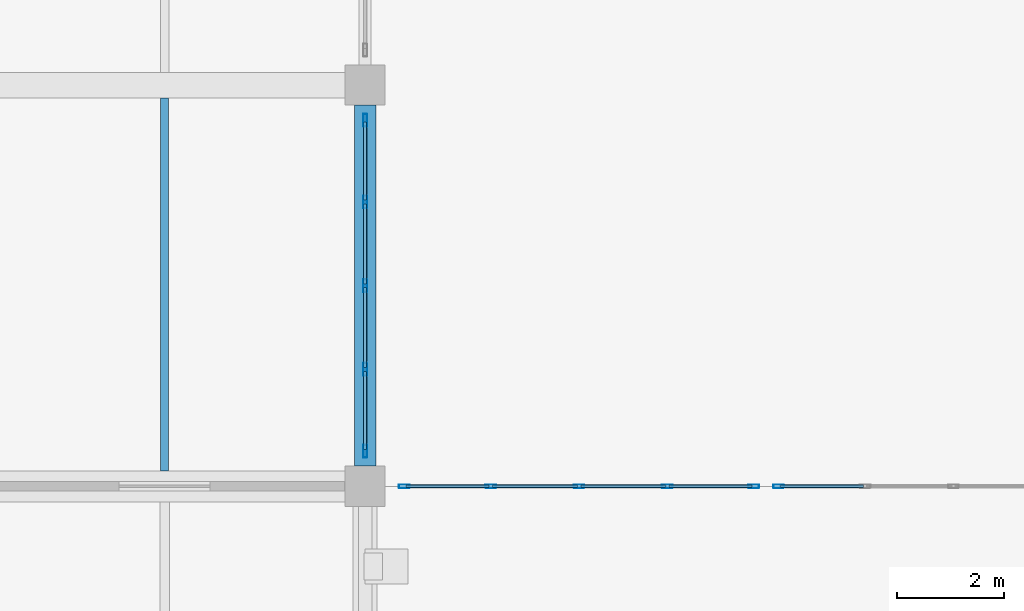
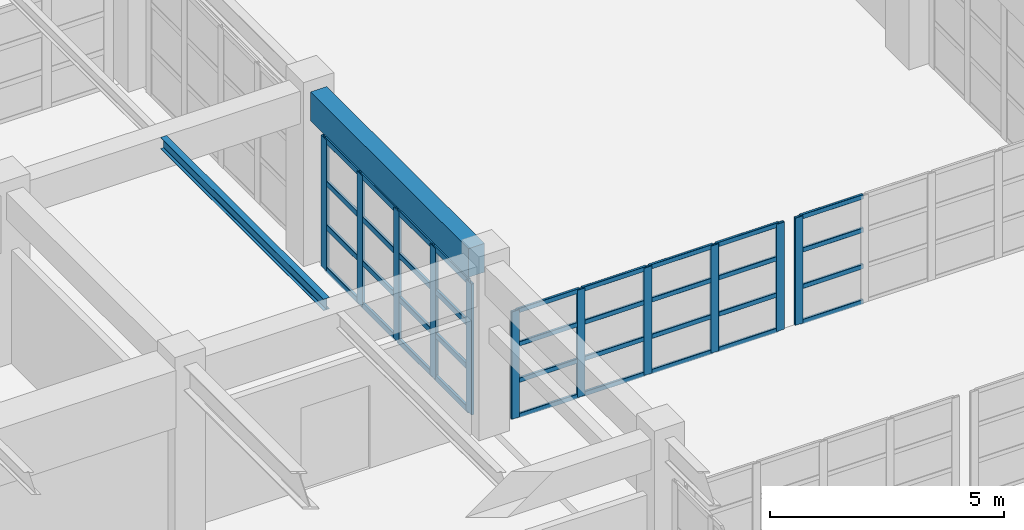
# One storey, part 17 of 122: 47 members, 2 beams, 3 elements without a shape of their own.
"""IFC4 building model written with IfcOpenShell, lengths in metres."""

from ifc_helpers import new_model, si_unit, direction, frame, origin, origin_2d, place, context, subcontext, project, spatial, rectangle, hollow_rectangle, i_section, extrude, material, material_profile, profile_set, type_object, element, aggregate, save


model = new_model("IFC4")

# Units and contexts
model_context = context("Model", 3, precision=1e-05, world=origin(), true_north=direction((0.0, 1.0)))
body_context = subcontext(model_context, "Body", "Model", "MODEL_VIEW")
ifc_project = project(units=[si_unit("LENGTHUNIT", "METRE"), si_unit("AREAUNIT", "SQUARE_METRE"), si_unit("VOLUMEUNIT", "CUBIC_METRE"), si_unit("PLANEANGLEUNIT", "RADIAN"), si_unit("MASSUNIT", "GRAM", prefix="KILO")], contexts=[model_context])

# Site, building, storey
site_placement = place(None, origin())
site = spatial("IfcSite", under=ifc_project, at=site_placement, CompositionType="ELEMENT")
building_placement = place(site_placement, origin())
building = spatial("IfcBuilding", under=site, at=building_placement, Name="Qasida Concert Hall", CompositionType="ELEMENT")
storey_placement = place(building_placement, origin())
storey = spatial("IfcBuildingStorey", under=building, at=storey_placement, Name="L00", CompositionType="ELEMENT", Elevation=0.0)

# Beams
ifc_material_1 = material(Name="Steel S355J2", Category="steel")
ifc_material_profile_1 = material_profile(ifc_material_1, i_section(OverallWidth=0.14990234375, OverallDepth=0.300048828125, WebThickness=0.007080078125, FlangeThickness=0.0107421875, FilletRadius=0.014892578125, at=origin_2d()), Name="IPE 300")
ifc_profile_set_1 = profile_set([ifc_material_profile_1], Name="Steel S355J2")
beam_type_1 = type_object("IfcBeamType", Name="BM-J4", PredefinedType="JOIST", material=ifc_profile_set_1)
beam_1_placement = place(storey_placement, frame((33.75, 37.7900390625, 4.35009765625), z_axis=(0.0, 1.0, 0.0), x_axis=(-1.0, 0.0, 0.0)))
element("IfcBeam", 1, at=beam_1_placement, inside=storey, type_object=beam_type_1, Name="L00 secondary joist 0587", PredefinedType="JOIST", context=body_context, shape_type="SweptSolid", body=[
    extrude(i_section(OverallWidth=0.14990234375, OverallDepth=0.300048828125, WebThickness=0.007080078125, FlangeThickness=0.0107421875, FilletRadius=0.014892578125, at=origin_2d()), origin(), (0.0, 0.0, 1.0), 6.969970703125),
])
ifc_material_2 = material(Name="Concrete C40/50", Category="concrete")
ifc_material_profile_2 = material_profile(ifc_material_2, rectangle(XDim=0.39990234375, YDim=0.75, at=origin_2d()), Name="RC 400x750")
ifc_profile_set_2 = profile_set([ifc_material_profile_2], Name="Concrete C40/50")
beam_type_2 = type_object("IfcBeamType", Name="BM-SP1", PredefinedType="SPANDREL", material=ifc_profile_set_2)
beam_2_placement = place(storey_placement, frame((37.5, 37.875, 4.125), z_axis=(0.0, 1.0, 0.0), x_axis=(-1.0, 0.0, 0.0)))
element("IfcBeam", 2, at=beam_2_placement, inside=storey, type_object=beam_type_2, Name="L00 girder 0558", PredefinedType="SPANDREL", context=body_context, shape_type="SweptSolid", body=[
    extrude(rectangle(XDim=0.39990234375, YDim=0.75, at=origin_2d()), origin(), (0.0, 0.0, 1.0), 6.75),
])

# Curtain wall, members
ifc_material_3 = material(Name="Architectural bronze-anodized aluminium and low-E glass", Category="aluminium")
curtain_wall_type_1 = type_object("IfcCurtainWallType", Name="CW-06", PredefinedType="NOTDEFINED", material=ifc_material_3)
curtain_wall_1_placement = place(storey_placement, origin())
curtain_wall_1 = element("IfcCurtainWall", 3, at=curtain_wall_1_placement, inside=storey, type_object=curtain_wall_type_1, Name="L00 curtain wall CW-06 0079", PredefinedType="NOTDEFINED")
ifc_material_4 = material(Name="Architectural bronze-anodized aluminium EN AW-6063", Category="aluminium")
ifc_material_profile_3 = material_profile(ifc_material_4, hollow_rectangle(XDim=0.070068359375, YDim=0.239990234375, WallThickness=0.0048828125, InnerFilletRadius=0.0048828125, OuterFilletRadius=0.010009765625, at=origin_2d()), Name="CWM 240x70x5")
ifc_profile_set_3 = profile_set([ifc_material_profile_3], Name="Architectural bronze-anodized aluminium EN AW-6063")
member_type_1 = type_object("IfcMemberType", Name="MB-CWM-1", PredefinedType="MULLION", material=ifc_profile_set_3)
member_1_placement = place(storey_placement, frame((37.5, 38.155029296875, 0.0), z_axis=(0.0, 0.0, 1.0), x_axis=(-1.0, 0.0, 0.0)))
member_1 = element("IfcMember", 4, at=member_1_placement, type_object=member_type_1, Name="CW-06 mullion 1", PredefinedType="MULLION", context=body_context, shape_type="SweptSolid", body=[
    extrude(hollow_rectangle(XDim=0.070068359375, YDim=0.239990234375, WallThickness=0.0048828125, InnerFilletRadius=0.0048828125, OuterFilletRadius=0.010009765625, at=origin_2d()), origin(), (0.0, 0.0, 1.0), 3.419921875),
])
member_2_placement = place(storey_placement, frame((37.5, 39.68505859375, 0.0), z_axis=(0.0, 0.0, 1.0), x_axis=(-1.0, 0.0, 0.0)))
member_2 = element("IfcMember", 5, at=member_2_placement, type_object=member_type_1, Name="CW-06 mullion 2", PredefinedType="MULLION", context=body_context, shape_type="SweptSolid", body=[
    extrude(hollow_rectangle(XDim=0.070068359375, YDim=0.239990234375, WallThickness=0.0048828125, InnerFilletRadius=0.0048828125, OuterFilletRadius=0.010009765625, at=origin_2d()), origin(), (0.0, 0.0, 1.0), 3.419921875),
])
member_3_placement = place(storey_placement, frame((37.5, 41.25, 0.0), z_axis=(0.0, 0.0, 1.0), x_axis=(-1.0, 0.0, 0.0)))
member_3 = element("IfcMember", 6, at=member_3_placement, type_object=member_type_1, Name="CW-06 mullion 3", PredefinedType="MULLION", context=body_context, shape_type="SweptSolid", body=[
    extrude(hollow_rectangle(XDim=0.070068359375, YDim=0.239990234375, WallThickness=0.0048828125, InnerFilletRadius=0.0048828125, OuterFilletRadius=0.010009765625, at=origin_2d()), origin(), (0.0, 0.0, 1.0), 3.419921875),
])
member_4_placement = place(storey_placement, frame((37.5, 42.81494140625, 0.0), z_axis=(0.0, 0.0, 1.0), x_axis=(-1.0, 0.0, 0.0)))
member_4 = element("IfcMember", 7, at=member_4_placement, type_object=member_type_1, Name="CW-06 mullion 4", PredefinedType="MULLION", context=body_context, shape_type="SweptSolid", body=[
    extrude(hollow_rectangle(XDim=0.070068359375, YDim=0.239990234375, WallThickness=0.0048828125, InnerFilletRadius=0.0048828125, OuterFilletRadius=0.010009765625, at=origin_2d()), origin(), (0.0, 0.0, 1.0), 3.419921875),
])
member_5_placement = place(storey_placement, frame((37.5, 44.344970703125, 0.0), z_axis=(0.0, 0.0, 1.0), x_axis=(-1.0, 0.0, 0.0)))
member_5 = element("IfcMember", 8, at=member_5_placement, type_object=member_type_1, Name="CW-06 mullion 5", PredefinedType="MULLION", context=body_context, shape_type="SweptSolid", body=[
    extrude(hollow_rectangle(XDim=0.070068359375, YDim=0.239990234375, WallThickness=0.0048828125, InnerFilletRadius=0.0048828125, OuterFilletRadius=0.010009765625, at=origin_2d()), origin(), (0.0, 0.0, 1.0), 3.419921875),
])

curtain_wall_type_2 = type_object("IfcCurtainWallType", Name="CW-08", PredefinedType="NOTDEFINED", material=ifc_material_3)
curtain_wall_2_placement = place(storey_placement, origin())
curtain_wall_2 = element("IfcCurtainWall", 9, at=curtain_wall_2_placement, inside=storey, type_object=curtain_wall_type_2, Name="L00 link bridge glazing 0195", PredefinedType="NOTDEFINED")
ifc_material_profile_4 = material_profile(ifc_material_4, hollow_rectangle(XDim=0.06494140625, YDim=0.199951171875, WallThickness=0.0048828125, InnerFilletRadius=0.0048828125, OuterFilletRadius=0.010009765625, at=origin_2d()), Name="CWM 200x65x5")
ifc_profile_set_4 = profile_set([ifc_material_profile_4], Name="Architectural bronze-anodized aluminium EN AW-6063")
member_type_2 = type_object("IfcMemberType", Name="MB-CWM-2", PredefinedType="MULLION", material=ifc_profile_set_4)
member_6_placement = place(storey_placement, frame((38.232421875, 37.5, 0.0), z_axis=(0.0, 0.0, 1.0), x_axis=(0.0, 1.0, 0.0)))
member_6 = element("IfcMember", 10, at=member_6_placement, type_object=member_type_2, Name="CW-08 mullion 1", PredefinedType="MULLION", context=body_context, shape_type="SweptSolid", body=[
    extrude(hollow_rectangle(XDim=0.06494140625, YDim=0.199951171875, WallThickness=0.0048828125, InnerFilletRadius=0.0048828125, OuterFilletRadius=0.010009765625, at=origin_2d()), origin(), (0.0, 0.0, 1.0), 2.800048828125),
])
member_7_placement = place(storey_placement, frame((39.85009765625, 37.5, 0.0), z_axis=(0.0, 0.0, 1.0), x_axis=(0.0, 1.0, 0.0)))
member_7 = element("IfcMember", 11, at=member_7_placement, type_object=member_type_2, Name="CW-08 mullion 2", PredefinedType="MULLION", context=body_context, shape_type="SweptSolid", body=[
    extrude(hollow_rectangle(XDim=0.06494140625, YDim=0.199951171875, WallThickness=0.0048828125, InnerFilletRadius=0.0048828125, OuterFilletRadius=0.010009765625, at=origin_2d()), origin(), (0.0, 0.0, 1.0), 2.800048828125),
])
member_8_placement = place(storey_placement, frame((41.5, 37.5, 0.0), z_axis=(0.0, 0.0, 1.0), x_axis=(0.0, 1.0, 0.0)))
member_8 = element("IfcMember", 12, at=member_8_placement, type_object=member_type_2, Name="CW-08 mullion 3", PredefinedType="MULLION", context=body_context, shape_type="SweptSolid", body=[
    extrude(hollow_rectangle(XDim=0.06494140625, YDim=0.199951171875, WallThickness=0.0048828125, InnerFilletRadius=0.0048828125, OuterFilletRadius=0.010009765625, at=origin_2d()), origin(), (0.0, 0.0, 1.0), 2.800048828125),
])
member_9_placement = place(storey_placement, frame((43.14990234375, 37.5, 0.0), z_axis=(0.0, 0.0, 1.0), x_axis=(0.0, 1.0, 0.0)))
member_9 = element("IfcMember", 13, at=member_9_placement, type_object=member_type_2, Name="CW-08 mullion 4", PredefinedType="MULLION", context=body_context, shape_type="SweptSolid", body=[
    extrude(hollow_rectangle(XDim=0.06494140625, YDim=0.199951171875, WallThickness=0.0048828125, InnerFilletRadius=0.0048828125, OuterFilletRadius=0.010009765625, at=origin_2d()), origin(), (0.0, 0.0, 1.0), 2.800048828125),
])
member_10_placement = place(storey_placement, frame((44.767578125, 37.5, 0.0), z_axis=(0.0, 0.0, 1.0), x_axis=(0.0, 1.0, 0.0)))
member_10 = element("IfcMember", 14, at=member_10_placement, type_object=member_type_2, Name="CW-08 mullion 5", PredefinedType="MULLION", context=body_context, shape_type="SweptSolid", body=[
    extrude(hollow_rectangle(XDim=0.06494140625, YDim=0.199951171875, WallThickness=0.0048828125, InnerFilletRadius=0.0048828125, OuterFilletRadius=0.010009765625, at=origin_2d()), origin(), (0.0, 0.0, 1.0), 2.800048828125),
])

# Curtain wall, member
curtain_wall_3_placement = place(storey_placement, origin())
curtain_wall_3 = element("IfcCurtainWall", 15, at=curtain_wall_3_placement, inside=storey, type_object=curtain_wall_type_2, Name="L00 link bridge glazing 0197", PredefinedType="NOTDEFINED")
member_11_placement = place(storey_placement, frame((45.232421875, 37.5, 0.0), z_axis=(0.0, 0.0, 1.0), x_axis=(0.0, 1.0, 0.0)))
member_11 = element("IfcMember", 16, at=member_11_placement, type_object=member_type_2, Name="CW-08 mullion 1", PredefinedType="MULLION", context=body_context, shape_type="SweptSolid", body=[
    extrude(hollow_rectangle(XDim=0.06494140625, YDim=0.199951171875, WallThickness=0.0048828125, InnerFilletRadius=0.0048828125, OuterFilletRadius=0.010009765625, at=origin_2d()), origin(), (0.0, 0.0, 1.0), 2.800048828125),
])

# Member
ifc_material_profile_5 = material_profile(ifc_material_4, hollow_rectangle(XDim=0.06494140625, YDim=0.14990234375, WallThickness=0.00390625, InnerFilletRadius=0.00390625, OuterFilletRadius=0.008056640625, at=origin_2d()), Name="CWT 150x65x4")
ifc_profile_set_5 = profile_set([ifc_material_profile_5], Name="Architectural bronze-anodized aluminium EN AW-6063")
member_type_3 = type_object("IfcMemberType", Name="MB-CWT-1", PredefinedType="USERDEFINED", material=ifc_profile_set_5)
member_12_placement = place(storey_placement, frame((37.5, 38.18994140625, 0.032470703125), z_axis=(0.0, 1.0, 0.0), x_axis=(-1.0, 0.0, 0.0)))
member_12 = element("IfcMember", 17, at=member_12_placement, type_object=member_type_3, Name="CW-06 transom 1.1", ObjectType="TRANSOM", PredefinedType="USERDEFINED", context=body_context, shape_type="SweptSolid", body=[
    extrude(hollow_rectangle(XDim=0.06494140625, YDim=0.14990234375, WallThickness=0.00390625, InnerFilletRadius=0.00390625, OuterFilletRadius=0.008056640625, at=origin_2d()), origin(), (0.0, 0.0, 1.0), 1.4599609375),
])

member_13_placement = place(storey_placement, frame((37.5, 38.18994140625, 1.139892578125), z_axis=(0.0, 1.0, 0.0), x_axis=(-1.0, 0.0, 0.0)))
member_13 = element("IfcMember", 18, at=member_13_placement, type_object=member_type_3, Name="CW-06 transom 1.2", ObjectType="TRANSOM", PredefinedType="USERDEFINED", context=body_context, shape_type="SweptSolid", body=[
    extrude(hollow_rectangle(XDim=0.06494140625, YDim=0.14990234375, WallThickness=0.00390625, InnerFilletRadius=0.00390625, OuterFilletRadius=0.008056640625, at=origin_2d()), origin(), (0.0, 0.0, 1.0), 1.4599609375),
])

member_14_placement = place(storey_placement, frame((37.5, 38.18994140625, 2.280029296875), z_axis=(0.0, 1.0, 0.0), x_axis=(-1.0, 0.0, 0.0)))
member_14 = element("IfcMember", 19, at=member_14_placement, type_object=member_type_3, Name="CW-06 transom 1.3", ObjectType="TRANSOM", PredefinedType="USERDEFINED", context=body_context, shape_type="SweptSolid", body=[
    extrude(hollow_rectangle(XDim=0.06494140625, YDim=0.14990234375, WallThickness=0.00390625, InnerFilletRadius=0.00390625, OuterFilletRadius=0.008056640625, at=origin_2d()), origin(), (0.0, 0.0, 1.0), 1.4599609375),
])

member_15_placement = place(storey_placement, frame((37.5, 38.18994140625, 3.387451171875), z_axis=(0.0, 1.0, 0.0), x_axis=(-1.0, 0.0, 0.0)))
member_15 = element("IfcMember", 20, at=member_15_placement, type_object=member_type_3, Name="CW-06 transom 1.4", ObjectType="TRANSOM", PredefinedType="USERDEFINED", context=body_context, shape_type="SweptSolid", body=[
    extrude(hollow_rectangle(XDim=0.06494140625, YDim=0.14990234375, WallThickness=0.00390625, InnerFilletRadius=0.00390625, OuterFilletRadius=0.008056640625, at=origin_2d()), origin(), (0.0, 0.0, 1.0), 1.4599609375),
])

member_16_placement = place(storey_placement, frame((37.5, 39.719970703125, 0.032470703125), z_axis=(0.0, 1.0, 0.0), x_axis=(-1.0, 0.0, 0.0)))
member_16 = element("IfcMember", 21, at=member_16_placement, type_object=member_type_3, Name="CW-06 transom 2.1", ObjectType="TRANSOM", PredefinedType="USERDEFINED", context=body_context, shape_type="SweptSolid", body=[
    extrude(hollow_rectangle(XDim=0.06494140625, YDim=0.14990234375, WallThickness=0.00390625, InnerFilletRadius=0.00390625, OuterFilletRadius=0.008056640625, at=origin_2d()), origin(), (0.0, 0.0, 1.0), 1.4951171875),
])

member_17_placement = place(storey_placement, frame((37.5, 39.719970703125, 1.139892578125), z_axis=(0.0, 1.0, 0.0), x_axis=(-1.0, 0.0, 0.0)))
member_17 = element("IfcMember", 22, at=member_17_placement, type_object=member_type_3, Name="CW-06 transom 2.2", ObjectType="TRANSOM", PredefinedType="USERDEFINED", context=body_context, shape_type="SweptSolid", body=[
    extrude(hollow_rectangle(XDim=0.06494140625, YDim=0.14990234375, WallThickness=0.00390625, InnerFilletRadius=0.00390625, OuterFilletRadius=0.008056640625, at=origin_2d()), origin(), (0.0, 0.0, 1.0), 1.4951171875),
])

member_18_placement = place(storey_placement, frame((37.5, 39.719970703125, 2.280029296875), z_axis=(0.0, 1.0, 0.0), x_axis=(-1.0, 0.0, 0.0)))
member_18 = element("IfcMember", 23, at=member_18_placement, type_object=member_type_3, Name="CW-06 transom 2.3", ObjectType="TRANSOM", PredefinedType="USERDEFINED", context=body_context, shape_type="SweptSolid", body=[
    extrude(hollow_rectangle(XDim=0.06494140625, YDim=0.14990234375, WallThickness=0.00390625, InnerFilletRadius=0.00390625, OuterFilletRadius=0.008056640625, at=origin_2d()), origin(), (0.0, 0.0, 1.0), 1.4951171875),
])

member_19_placement = place(storey_placement, frame((37.5, 39.719970703125, 3.387451171875), z_axis=(0.0, 1.0, 0.0), x_axis=(-1.0, 0.0, 0.0)))
member_19 = element("IfcMember", 24, at=member_19_placement, type_object=member_type_3, Name="CW-06 transom 2.4", ObjectType="TRANSOM", PredefinedType="USERDEFINED", context=body_context, shape_type="SweptSolid", body=[
    extrude(hollow_rectangle(XDim=0.06494140625, YDim=0.14990234375, WallThickness=0.00390625, InnerFilletRadius=0.00390625, OuterFilletRadius=0.008056640625, at=origin_2d()), origin(), (0.0, 0.0, 1.0), 1.4951171875),
])

member_20_placement = place(storey_placement, frame((37.5, 41.284912109375, 0.032470703125), z_axis=(0.0, 1.0, 0.0), x_axis=(-1.0, 0.0, 0.0)))
member_20 = element("IfcMember", 25, at=member_20_placement, type_object=member_type_3, Name="CW-06 transom 3.1", ObjectType="TRANSOM", PredefinedType="USERDEFINED", context=body_context, shape_type="SweptSolid", body=[
    extrude(hollow_rectangle(XDim=0.06494140625, YDim=0.14990234375, WallThickness=0.00390625, InnerFilletRadius=0.00390625, OuterFilletRadius=0.008056640625, at=origin_2d()), origin(), (0.0, 0.0, 1.0), 1.4951171875),
])

member_21_placement = place(storey_placement, frame((37.5, 41.284912109375, 1.139892578125), z_axis=(0.0, 1.0, 0.0), x_axis=(-1.0, 0.0, 0.0)))
member_21 = element("IfcMember", 26, at=member_21_placement, type_object=member_type_3, Name="CW-06 transom 3.2", ObjectType="TRANSOM", PredefinedType="USERDEFINED", context=body_context, shape_type="SweptSolid", body=[
    extrude(hollow_rectangle(XDim=0.06494140625, YDim=0.14990234375, WallThickness=0.00390625, InnerFilletRadius=0.00390625, OuterFilletRadius=0.008056640625, at=origin_2d()), origin(), (0.0, 0.0, 1.0), 1.4951171875),
])

member_22_placement = place(storey_placement, frame((37.5, 41.284912109375, 2.280029296875), z_axis=(0.0, 1.0, 0.0), x_axis=(-1.0, 0.0, 0.0)))
member_22 = element("IfcMember", 27, at=member_22_placement, type_object=member_type_3, Name="CW-06 transom 3.3", ObjectType="TRANSOM", PredefinedType="USERDEFINED", context=body_context, shape_type="SweptSolid", body=[
    extrude(hollow_rectangle(XDim=0.06494140625, YDim=0.14990234375, WallThickness=0.00390625, InnerFilletRadius=0.00390625, OuterFilletRadius=0.008056640625, at=origin_2d()), origin(), (0.0, 0.0, 1.0), 1.4951171875),
])

member_23_placement = place(storey_placement, frame((37.5, 41.284912109375, 3.387451171875), z_axis=(0.0, 1.0, 0.0), x_axis=(-1.0, 0.0, 0.0)))
member_23 = element("IfcMember", 28, at=member_23_placement, type_object=member_type_3, Name="CW-06 transom 3.4", ObjectType="TRANSOM", PredefinedType="USERDEFINED", context=body_context, shape_type="SweptSolid", body=[
    extrude(hollow_rectangle(XDim=0.06494140625, YDim=0.14990234375, WallThickness=0.00390625, InnerFilletRadius=0.00390625, OuterFilletRadius=0.008056640625, at=origin_2d()), origin(), (0.0, 0.0, 1.0), 1.4951171875),
])

member_24_placement = place(storey_placement, frame((37.5, 42.85009765625, 0.032470703125), z_axis=(0.0, 1.0, 0.0), x_axis=(-1.0, 0.0, 0.0)))
member_24 = element("IfcMember", 29, at=member_24_placement, type_object=member_type_3, Name="CW-06 transom 4.1", ObjectType="TRANSOM", PredefinedType="USERDEFINED", context=body_context, shape_type="SweptSolid", body=[
    extrude(hollow_rectangle(XDim=0.06494140625, YDim=0.14990234375, WallThickness=0.00390625, InnerFilletRadius=0.00390625, OuterFilletRadius=0.008056640625, at=origin_2d()), origin(), (0.0, 0.0, 1.0), 1.4599609375),
])

member_25_placement = place(storey_placement, frame((37.5, 42.85009765625, 1.139892578125), z_axis=(0.0, 1.0, 0.0), x_axis=(-1.0, 0.0, 0.0)))
member_25 = element("IfcMember", 30, at=member_25_placement, type_object=member_type_3, Name="CW-06 transom 4.2", ObjectType="TRANSOM", PredefinedType="USERDEFINED", context=body_context, shape_type="SweptSolid", body=[
    extrude(hollow_rectangle(XDim=0.06494140625, YDim=0.14990234375, WallThickness=0.00390625, InnerFilletRadius=0.00390625, OuterFilletRadius=0.008056640625, at=origin_2d()), origin(), (0.0, 0.0, 1.0), 1.4599609375),
])

member_26_placement = place(storey_placement, frame((37.5, 42.85009765625, 2.280029296875), z_axis=(0.0, 1.0, 0.0), x_axis=(-1.0, 0.0, 0.0)))
member_26 = element("IfcMember", 31, at=member_26_placement, type_object=member_type_3, Name="CW-06 transom 4.3", ObjectType="TRANSOM", PredefinedType="USERDEFINED", context=body_context, shape_type="SweptSolid", body=[
    extrude(hollow_rectangle(XDim=0.06494140625, YDim=0.14990234375, WallThickness=0.00390625, InnerFilletRadius=0.00390625, OuterFilletRadius=0.008056640625, at=origin_2d()), origin(), (0.0, 0.0, 1.0), 1.4599609375),
])

member_27_placement = place(storey_placement, frame((37.5, 42.85009765625, 3.387451171875), z_axis=(0.0, 1.0, 0.0), x_axis=(-1.0, 0.0, 0.0)))
member_27 = element("IfcMember", 32, at=member_27_placement, type_object=member_type_3, Name="CW-06 transom 4.4", ObjectType="TRANSOM", PredefinedType="USERDEFINED", context=body_context, shape_type="SweptSolid", body=[
    extrude(hollow_rectangle(XDim=0.06494140625, YDim=0.14990234375, WallThickness=0.00390625, InnerFilletRadius=0.00390625, OuterFilletRadius=0.008056640625, at=origin_2d()), origin(), (0.0, 0.0, 1.0), 1.4599609375),
])

aggregate(curtain_wall_1, [member_1, member_2, member_3, member_4, member_5, member_12, member_13, member_14, member_15, member_16, member_17, member_18, member_19, member_20, member_21, member_22, member_23, member_24, member_25, member_26, member_27])

ifc_material_profile_6 = material_profile(ifc_material_4, hollow_rectangle(XDim=0.06005859375, YDim=0.1201171875, WallThickness=0.00390625, InnerFilletRadius=0.00390625, OuterFilletRadius=0.008056640625, at=origin_2d()), Name="CWT 120x60x4")
ifc_profile_set_6 = profile_set([ifc_material_profile_6], Name="Architectural bronze-anodized aluminium EN AW-6063")
member_type_4 = type_object("IfcMemberType", Name="MB-CWT-2", PredefinedType="USERDEFINED", material=ifc_profile_set_6)
member_28_placement = place(storey_placement, frame((38.264892578125, 37.5, 0.030029296875), z_axis=(1.0, 0.0, 0.0), x_axis=(0.0, 1.0, 0.0)))
member_28 = element("IfcMember", 33, at=member_28_placement, type_object=member_type_4, Name="CW-08 transom 1.1", ObjectType="TRANSOM", PredefinedType="USERDEFINED", context=body_context, shape_type="SweptSolid", body=[
    extrude(hollow_rectangle(XDim=0.06005859375, YDim=0.1201171875, WallThickness=0.00390625, InnerFilletRadius=0.00390625, OuterFilletRadius=0.008056640625, at=origin_2d()), origin(), (0.0, 0.0, 1.0), 1.552490234375),
])

member_29_placement = place(storey_placement, frame((38.264892578125, 37.5, 0.949951171875), z_axis=(1.0, 0.0, 0.0), x_axis=(0.0, 1.0, 0.0)))
member_29 = element("IfcMember", 34, at=member_29_placement, type_object=member_type_4, Name="CW-08 transom 1.2", ObjectType="TRANSOM", PredefinedType="USERDEFINED", context=body_context, shape_type="SweptSolid", body=[
    extrude(hollow_rectangle(XDim=0.06005859375, YDim=0.1201171875, WallThickness=0.00390625, InnerFilletRadius=0.00390625, OuterFilletRadius=0.008056640625, at=origin_2d()), origin(), (0.0, 0.0, 1.0), 1.552490234375),
])

member_30_placement = place(storey_placement, frame((38.264892578125, 37.5, 1.89990234375), z_axis=(1.0, 0.0, 0.0), x_axis=(0.0, 1.0, 0.0)))
member_30 = element("IfcMember", 35, at=member_30_placement, type_object=member_type_4, Name="CW-08 transom 1.3", ObjectType="TRANSOM", PredefinedType="USERDEFINED", context=body_context, shape_type="SweptSolid", body=[
    extrude(hollow_rectangle(XDim=0.06005859375, YDim=0.1201171875, WallThickness=0.00390625, InnerFilletRadius=0.00390625, OuterFilletRadius=0.008056640625, at=origin_2d()), origin(), (0.0, 0.0, 1.0), 1.552490234375),
])

member_31_placement = place(storey_placement, frame((38.264892578125, 37.5, 2.77001953125), z_axis=(1.0, 0.0, 0.0), x_axis=(0.0, 1.0, 0.0)))
member_31 = element("IfcMember", 36, at=member_31_placement, type_object=member_type_4, Name="CW-08 transom 1.4", ObjectType="TRANSOM", PredefinedType="USERDEFINED", context=body_context, shape_type="SweptSolid", body=[
    extrude(hollow_rectangle(XDim=0.06005859375, YDim=0.1201171875, WallThickness=0.00390625, InnerFilletRadius=0.00390625, OuterFilletRadius=0.008056640625, at=origin_2d()), origin(), (0.0, 0.0, 1.0), 1.552490234375),
])

member_32_placement = place(storey_placement, frame((39.882568359375, 37.5, 0.030029296875), z_axis=(1.0, 0.0, 0.0), x_axis=(0.0, 1.0, 0.0)))
member_32 = element("IfcMember", 37, at=member_32_placement, type_object=member_type_4, Name="CW-08 transom 2.1", ObjectType="TRANSOM", PredefinedType="USERDEFINED", context=body_context, shape_type="SweptSolid", body=[
    extrude(hollow_rectangle(XDim=0.06005859375, YDim=0.1201171875, WallThickness=0.00390625, InnerFilletRadius=0.00390625, OuterFilletRadius=0.008056640625, at=origin_2d()), origin(), (0.0, 0.0, 1.0), 1.5849609375),
])

member_33_placement = place(storey_placement, frame((39.882568359375, 37.5, 0.949951171875), z_axis=(1.0, 0.0, 0.0), x_axis=(0.0, 1.0, 0.0)))
member_33 = element("IfcMember", 38, at=member_33_placement, type_object=member_type_4, Name="CW-08 transom 2.2", ObjectType="TRANSOM", PredefinedType="USERDEFINED", context=body_context, shape_type="SweptSolid", body=[
    extrude(hollow_rectangle(XDim=0.06005859375, YDim=0.1201171875, WallThickness=0.00390625, InnerFilletRadius=0.00390625, OuterFilletRadius=0.008056640625, at=origin_2d()), origin(), (0.0, 0.0, 1.0), 1.5849609375),
])

member_34_placement = place(storey_placement, frame((39.882568359375, 37.5, 1.89990234375), z_axis=(1.0, 0.0, 0.0), x_axis=(0.0, 1.0, 0.0)))
member_34 = element("IfcMember", 39, at=member_34_placement, type_object=member_type_4, Name="CW-08 transom 2.3", ObjectType="TRANSOM", PredefinedType="USERDEFINED", context=body_context, shape_type="SweptSolid", body=[
    extrude(hollow_rectangle(XDim=0.06005859375, YDim=0.1201171875, WallThickness=0.00390625, InnerFilletRadius=0.00390625, OuterFilletRadius=0.008056640625, at=origin_2d()), origin(), (0.0, 0.0, 1.0), 1.5849609375),
])

member_35_placement = place(storey_placement, frame((39.882568359375, 37.5, 2.77001953125), z_axis=(1.0, 0.0, 0.0), x_axis=(0.0, 1.0, 0.0)))
member_35 = element("IfcMember", 40, at=member_35_placement, type_object=member_type_4, Name="CW-08 transom 2.4", ObjectType="TRANSOM", PredefinedType="USERDEFINED", context=body_context, shape_type="SweptSolid", body=[
    extrude(hollow_rectangle(XDim=0.06005859375, YDim=0.1201171875, WallThickness=0.00390625, InnerFilletRadius=0.00390625, OuterFilletRadius=0.008056640625, at=origin_2d()), origin(), (0.0, 0.0, 1.0), 1.5849609375),
])

member_36_placement = place(storey_placement, frame((41.532470703125, 37.5, 0.030029296875), z_axis=(1.0, 0.0, 0.0), x_axis=(0.0, 1.0, 0.0)))
member_36 = element("IfcMember", 41, at=member_36_placement, type_object=member_type_4, Name="CW-08 transom 3.1", ObjectType="TRANSOM", PredefinedType="USERDEFINED", context=body_context, shape_type="SweptSolid", body=[
    extrude(hollow_rectangle(XDim=0.06005859375, YDim=0.1201171875, WallThickness=0.00390625, InnerFilletRadius=0.00390625, OuterFilletRadius=0.008056640625, at=origin_2d()), origin(), (0.0, 0.0, 1.0), 1.5849609375),
])

member_37_placement = place(storey_placement, frame((41.532470703125, 37.5, 0.949951171875), z_axis=(1.0, 0.0, 0.0), x_axis=(0.0, 1.0, 0.0)))
member_37 = element("IfcMember", 42, at=member_37_placement, type_object=member_type_4, Name="CW-08 transom 3.2", ObjectType="TRANSOM", PredefinedType="USERDEFINED", context=body_context, shape_type="SweptSolid", body=[
    extrude(hollow_rectangle(XDim=0.06005859375, YDim=0.1201171875, WallThickness=0.00390625, InnerFilletRadius=0.00390625, OuterFilletRadius=0.008056640625, at=origin_2d()), origin(), (0.0, 0.0, 1.0), 1.5849609375),
])

member_38_placement = place(storey_placement, frame((41.532470703125, 37.5, 1.89990234375), z_axis=(1.0, 0.0, 0.0), x_axis=(0.0, 1.0, 0.0)))
member_38 = element("IfcMember", 43, at=member_38_placement, type_object=member_type_4, Name="CW-08 transom 3.3", ObjectType="TRANSOM", PredefinedType="USERDEFINED", context=body_context, shape_type="SweptSolid", body=[
    extrude(hollow_rectangle(XDim=0.06005859375, YDim=0.1201171875, WallThickness=0.00390625, InnerFilletRadius=0.00390625, OuterFilletRadius=0.008056640625, at=origin_2d()), origin(), (0.0, 0.0, 1.0), 1.5849609375),
])

member_39_placement = place(storey_placement, frame((41.532470703125, 37.5, 2.77001953125), z_axis=(1.0, 0.0, 0.0), x_axis=(0.0, 1.0, 0.0)))
member_39 = element("IfcMember", 44, at=member_39_placement, type_object=member_type_4, Name="CW-08 transom 3.4", ObjectType="TRANSOM", PredefinedType="USERDEFINED", context=body_context, shape_type="SweptSolid", body=[
    extrude(hollow_rectangle(XDim=0.06005859375, YDim=0.1201171875, WallThickness=0.00390625, InnerFilletRadius=0.00390625, OuterFilletRadius=0.008056640625, at=origin_2d()), origin(), (0.0, 0.0, 1.0), 1.5849609375),
])

member_40_placement = place(storey_placement, frame((43.1826171875, 37.5, 0.030029296875), z_axis=(1.0, 0.0, 0.0), x_axis=(0.0, 1.0, 0.0)))
member_40 = element("IfcMember", 45, at=member_40_placement, type_object=member_type_4, Name="CW-08 transom 4.1", ObjectType="TRANSOM", PredefinedType="USERDEFINED", context=body_context, shape_type="SweptSolid", body=[
    extrude(hollow_rectangle(XDim=0.06005859375, YDim=0.1201171875, WallThickness=0.00390625, InnerFilletRadius=0.00390625, OuterFilletRadius=0.008056640625, at=origin_2d()), origin(), (0.0, 0.0, 1.0), 1.552490234375),
])

member_41_placement = place(storey_placement, frame((43.1826171875, 37.5, 0.949951171875), z_axis=(1.0, 0.0, 0.0), x_axis=(0.0, 1.0, 0.0)))
member_41 = element("IfcMember", 46, at=member_41_placement, type_object=member_type_4, Name="CW-08 transom 4.2", ObjectType="TRANSOM", PredefinedType="USERDEFINED", context=body_context, shape_type="SweptSolid", body=[
    extrude(hollow_rectangle(XDim=0.06005859375, YDim=0.1201171875, WallThickness=0.00390625, InnerFilletRadius=0.00390625, OuterFilletRadius=0.008056640625, at=origin_2d()), origin(), (0.0, 0.0, 1.0), 1.552490234375),
])

member_42_placement = place(storey_placement, frame((43.1826171875, 37.5, 1.89990234375), z_axis=(1.0, 0.0, 0.0), x_axis=(0.0, 1.0, 0.0)))
member_42 = element("IfcMember", 47, at=member_42_placement, type_object=member_type_4, Name="CW-08 transom 4.3", ObjectType="TRANSOM", PredefinedType="USERDEFINED", context=body_context, shape_type="SweptSolid", body=[
    extrude(hollow_rectangle(XDim=0.06005859375, YDim=0.1201171875, WallThickness=0.00390625, InnerFilletRadius=0.00390625, OuterFilletRadius=0.008056640625, at=origin_2d()), origin(), (0.0, 0.0, 1.0), 1.552490234375),
])

member_43_placement = place(storey_placement, frame((43.1826171875, 37.5, 2.77001953125), z_axis=(1.0, 0.0, 0.0), x_axis=(0.0, 1.0, 0.0)))
member_43 = element("IfcMember", 48, at=member_43_placement, type_object=member_type_4, Name="CW-08 transom 4.4", ObjectType="TRANSOM", PredefinedType="USERDEFINED", context=body_context, shape_type="SweptSolid", body=[
    extrude(hollow_rectangle(XDim=0.06005859375, YDim=0.1201171875, WallThickness=0.00390625, InnerFilletRadius=0.00390625, OuterFilletRadius=0.008056640625, at=origin_2d()), origin(), (0.0, 0.0, 1.0), 1.552490234375),
])

aggregate(curtain_wall_2, [member_6, member_7, member_8, member_9, member_10, member_28, member_29, member_30, member_31, member_32, member_33, member_34, member_35, member_36, member_37, member_38, member_39, member_40, member_41, member_42, member_43])

member_44_placement = place(storey_placement, frame((45.264892578125, 37.5, 0.030029296875), z_axis=(1.0, 0.0, 0.0), x_axis=(0.0, 1.0, 0.0)))
member_44 = element("IfcMember", 49, at=member_44_placement, type_object=member_type_4, Name="CW-08 transom 1.1", ObjectType="TRANSOM", PredefinedType="USERDEFINED", context=body_context, shape_type="SweptSolid", body=[
    extrude(hollow_rectangle(XDim=0.06005859375, YDim=0.1201171875, WallThickness=0.00390625, InnerFilletRadius=0.00390625, OuterFilletRadius=0.008056640625, at=origin_2d()), origin(), (0.0, 0.0, 1.0), 1.552490234375),
])

member_45_placement = place(storey_placement, frame((45.264892578125, 37.5, 0.949951171875), z_axis=(1.0, 0.0, 0.0), x_axis=(0.0, 1.0, 0.0)))
member_45 = element("IfcMember", 50, at=member_45_placement, type_object=member_type_4, Name="CW-08 transom 1.2", ObjectType="TRANSOM", PredefinedType="USERDEFINED", context=body_context, shape_type="SweptSolid", body=[
    extrude(hollow_rectangle(XDim=0.06005859375, YDim=0.1201171875, WallThickness=0.00390625, InnerFilletRadius=0.00390625, OuterFilletRadius=0.008056640625, at=origin_2d()), origin(), (0.0, 0.0, 1.0), 1.552490234375),
])

member_46_placement = place(storey_placement, frame((45.264892578125, 37.5, 1.89990234375), z_axis=(1.0, 0.0, 0.0), x_axis=(0.0, 1.0, 0.0)))
member_46 = element("IfcMember", 51, at=member_46_placement, type_object=member_type_4, Name="CW-08 transom 1.3", ObjectType="TRANSOM", PredefinedType="USERDEFINED", context=body_context, shape_type="SweptSolid", body=[
    extrude(hollow_rectangle(XDim=0.06005859375, YDim=0.1201171875, WallThickness=0.00390625, InnerFilletRadius=0.00390625, OuterFilletRadius=0.008056640625, at=origin_2d()), origin(), (0.0, 0.0, 1.0), 1.552490234375),
])

member_47_placement = place(storey_placement, frame((45.264892578125, 37.5, 2.77001953125), z_axis=(1.0, 0.0, 0.0), x_axis=(0.0, 1.0, 0.0)))
member_47 = element("IfcMember", 52, at=member_47_placement, type_object=member_type_4, Name="CW-08 transom 1.4", ObjectType="TRANSOM", PredefinedType="USERDEFINED", context=body_context, shape_type="SweptSolid", body=[
    extrude(hollow_rectangle(XDim=0.06005859375, YDim=0.1201171875, WallThickness=0.00390625, InnerFilletRadius=0.00390625, OuterFilletRadius=0.008056640625, at=origin_2d()), origin(), (0.0, 0.0, 1.0), 1.552490234375),
])

aggregate(curtain_wall_3, [member_11, member_44, member_45, member_46, member_47])

save(model, "model.ifc")
